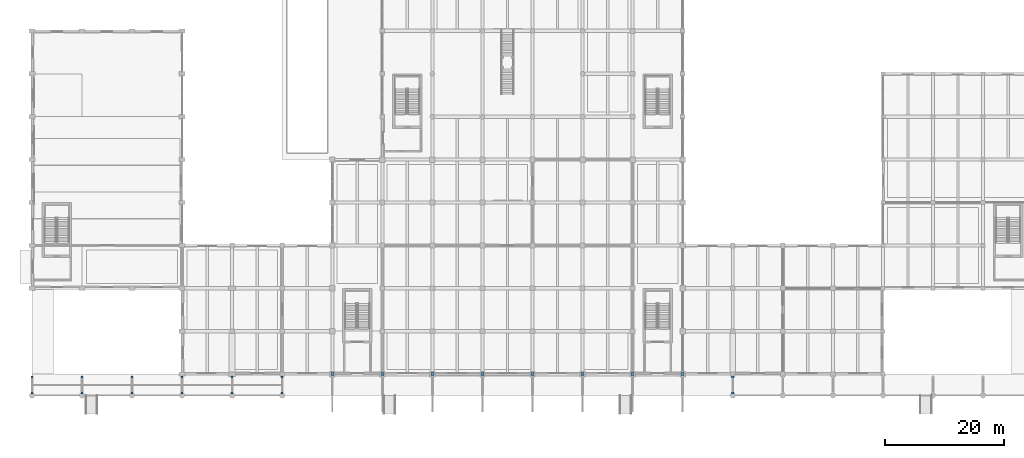
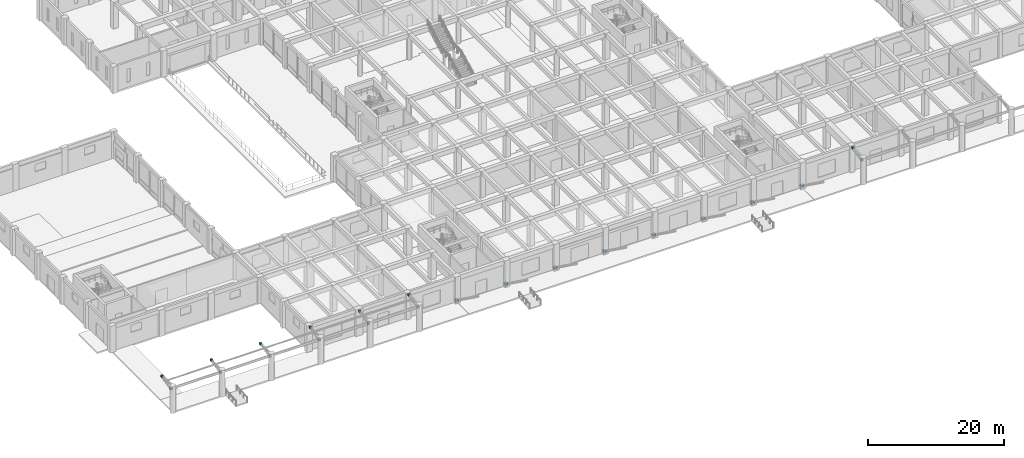
# One storey, part 22 of 49: 22 plates.
"""IFC4 building model written with IfcOpenShell, lengths in metres."""

from ifc_helpers import new_model, si_unit, direction, frame, origin, origin_2d, place, context, subcontext, project, spatial, rectangle, extrude, material, layer, layer_set, type_object, element, save


model = new_model("IFC4")

# Units and contexts
model_context = context("Model", 3, precision=1e-05, world=origin(), true_north=direction((0.0, 1.0)))
body_context = subcontext(model_context, "Body", "Model", "MODEL_VIEW")
ifc_project = project(units=[si_unit("LENGTHUNIT", "METRE"), si_unit("AREAUNIT", "SQUARE_METRE"), si_unit("VOLUMEUNIT", "CUBIC_METRE"), si_unit("PLANEANGLEUNIT", "RADIAN"), si_unit("MASSUNIT", "GRAM", prefix="KILO")], contexts=[model_context])

# Site, building, storey
site_placement = place(None, origin())
site = spatial("IfcSite", under=ifc_project, at=site_placement, CompositionType="ELEMENT")
building_placement = place(site_placement, origin())
building = spatial("IfcBuilding", under=site, at=building_placement, Name="Kenerak Square Central Library", CompositionType="ELEMENT")
storey_placement = place(building_placement, origin())
storey = spatial("IfcBuildingStorey", under=building, at=storey_placement, Name="L00", CompositionType="ELEMENT", Elevation=0.0)

# Plates
ifc_material = material(Name="Steel S355", Category="steel")
ifc_layer_1 = layer(ifc_material, 0.02490234375)
ifc_layer_set_1 = layer_set([ifc_layer_1], Name="Steel S355")
plate_type_1 = type_object("IfcPlateType", Name="Lantern Cap Plate LNP-01 25mm S355", PredefinedType="USERDEFINED", material=ifc_layer_set_1)
for number, where, z_axis, x_axis, name in (
    (1, (8.0, 13.64990234375, 3.72998046875), (0.0, 0.0, 1.0), (1.0, 0.0, 0.0), "Colonnade Tie Cleat Plate LNP-01 01-S"),
    (2, (8.0, 16.35009765625, 4.330078125), (0.0, 0.0, 1.0), (1.0, 0.0, 0.0), "Colonnade Tie Cleat Plate LNP-01 01-N"),
    (3, (16.39990234375, 13.64990234375, 3.72998046875), (0.0, 0.0, 1.0), (1.0, 0.0, 0.0), "Colonnade Tie Cleat Plate LNP-01 02-S"),
    (4, (16.39990234375, 16.35009765625, 4.330078125), (0.0, 0.0, 1.0), (1.0, 0.0, 0.0), "Colonnade Tie Cleat Plate LNP-01 02-N"),
    (5, (24.800048828125, 13.64990234375, 3.72998046875), (0.0, 0.0, 1.0), (1.0, 0.0, 0.0), "Colonnade Tie Cleat Plate LNP-01 03-S"),
    (6, (24.800048828125, 16.35009765625, 4.330078125), (0.0, 0.0, 1.0), (1.0, 0.0, 0.0), "Colonnade Tie Cleat Plate LNP-01 03-N"),
    (7, (33.199951171875, 13.64990234375, 3.72998046875), (0.0, 0.0, 1.0), (1.0, 0.0, 0.0), "Colonnade Tie Cleat Plate LNP-01 04-S"),
    (8, (33.199951171875, 16.35009765625, 4.330078125), (0.0, 0.0, 1.0), (1.0, 0.0, 0.0), "Colonnade Tie Cleat Plate LNP-01 04-N"),
    (9, (41.60009765625, 13.64990234375, 3.72998046875), (0.0, 0.0, 1.0), (1.0, 0.0, 0.0), "Colonnade Tie Cleat Plate LNP-01 05-S"),
    (10, (41.60009765625, 16.35009765625, 4.330078125), (0.0, 0.0, 1.0), (1.0, 0.0, 0.0), "Colonnade Tie Cleat Plate LNP-01 05-N"),
    (11, (50.0, 13.64990234375, 3.72998046875), (0.0, 0.0, 1.0), (1.0, 0.0, 0.0), "Colonnade Tie Cleat Plate LNP-01 06-S"),
    (12, (50.0, 16.35009765625, 4.330078125), (0.0, 0.0, 1.0), (1.0, 0.0, 0.0), "Colonnade Tie Cleat Plate LNP-01 06-N"),
    (13, (125.60009765625, 13.64990234375, 3.72998046875), (0.0, 0.0, 1.0), (1.0, 0.0, 0.0), "Colonnade Tie Cleat Plate LNP-01 07-S"),
    (14, (125.60009765625, 16.35009765625, 4.330078125), (0.0, 0.0, 1.0), (1.0, 0.0, 0.0), "Colonnade Tie Cleat Plate LNP-01 07-N"),
):
    element("IfcPlate", number, at=place(storey_placement, frame(where, z_axis=z_axis, x_axis=x_axis)), inside=storey, type_object=plate_type_1, Name=name, ObjectType="GUSSET PLATE", PredefinedType="USERDEFINED", context=body_context, shape_type="SweptSolid", body=[
        extrude(rectangle(XDim=0.340087890625, YDim=0.340087890625, at=origin_2d()), origin(), (0.0, 0.0, 1.0), 0.340087890625),
    ])
ifc_layer_2 = layer(ifc_material, 0.050048828125)
ifc_layer_set_2 = layer_set([ifc_layer_2], Name="Steel S355")
plate_type_2 = type_object("IfcPlateType", Name="Raking Strut Base Node KTN-02 50mm S355", PredefinedType="USERDEFINED", material=ifc_layer_set_2)
for number, where, z_axis, x_axis, name in (
    (15, (58.39990234375, 16.800048828125, 0.02490234375), (0.0, 0.0, 1.0), (1.0, 0.0, 0.0), "Raking Strut Node Plate KTN-02 0010"),
    (16, (66.800048828125, 16.800048828125, 0.02490234375), (0.0, 0.0, 1.0), (1.0, 0.0, 0.0), "Raking Strut Node Plate KTN-02 0024"),
    (17, (75.199951171875, 16.800048828125, 0.02490234375), (0.0, 0.0, 1.0), (1.0, 0.0, 0.0), "Raking Strut Node Plate KTN-02 0038"),
    (18, (83.60009765625, 16.800048828125, 0.02490234375), (0.0, 0.0, 1.0), (1.0, 0.0, 0.0), "Raking Strut Node Plate KTN-02 0052"),
    (19, (92.0, 16.800048828125, 0.02490234375), (0.0, 0.0, 1.0), (1.0, 0.0, 0.0), "Raking Strut Node Plate KTN-02 0066"),
    (20, (100.39990234375, 16.800048828125, 0.02490234375), (0.0, 0.0, 1.0), (1.0, 0.0, 0.0), "Raking Strut Node Plate KTN-02 0080"),
    (21, (108.800048828125, 16.800048828125, 0.02490234375), (0.0, 0.0, 1.0), (1.0, 0.0, 0.0), "Raking Strut Node Plate KTN-02 0094"),
    (22, (117.199951171875, 16.800048828125, 0.02490234375), (0.0, 0.0, 1.0), (1.0, 0.0, 0.0), "Raking Strut Node Plate KTN-02 0108"),
):
    element("IfcPlate", number, at=place(storey_placement, frame(where, z_axis=z_axis, x_axis=x_axis)), inside=storey, type_object=plate_type_2, Name=name, ObjectType="GUSSET PLATE", PredefinedType="USERDEFINED", context=body_context, shape_type="SweptSolid", body=[
        extrude(rectangle(XDim=0.5, YDim=0.5, at=origin_2d()), origin(), (0.0, 0.0, 1.0), 0.449951171875),
    ])

save(model, "model.ifc")
